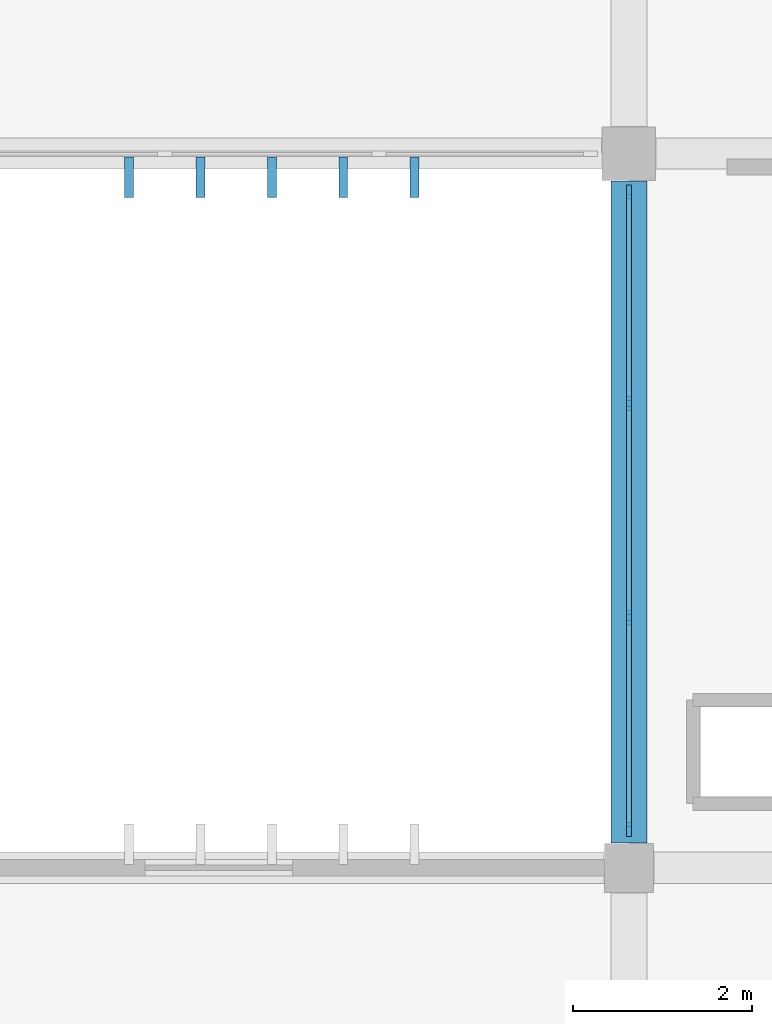
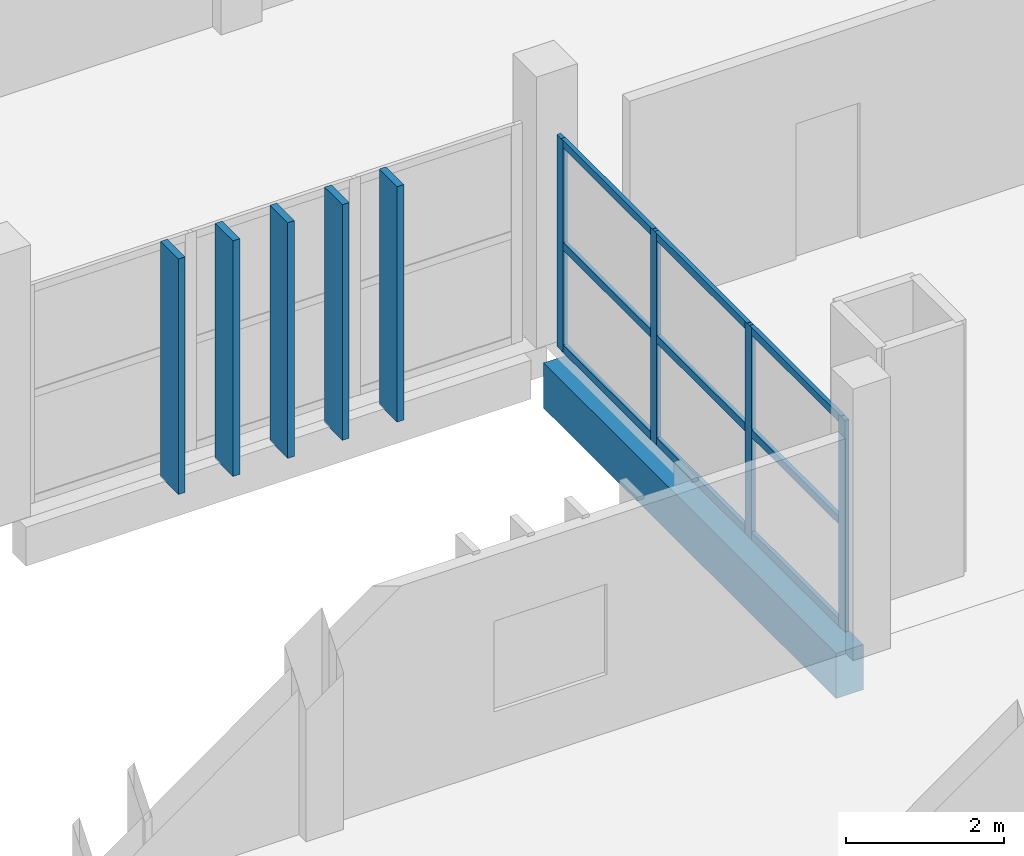
# One storey, part 15 of 83: 18 members, 1 beam, 1 element without a shape of its own.
"""IFC4 building model written with IfcOpenShell, lengths in metres."""

from ifc_helpers import new_model, si_unit, direction, frame, origin, origin_2d, place, context, subcontext, project, spatial, rectangle, extrude, material, layer, layer_set, material_profile, profile_set, type_object, element, aggregate, save


model = new_model("IFC4")

# Units and contexts
model_context = context("Model", 3, precision=1e-05, world=origin(), true_north=direction((0.0, 1.0)))
body_context = subcontext(model_context, "Body", "Model", "MODEL_VIEW")
ifc_project = project(units=[si_unit("LENGTHUNIT", "METRE"), si_unit("AREAUNIT", "SQUARE_METRE"), si_unit("VOLUMEUNIT", "CUBIC_METRE"), si_unit("PLANEANGLEUNIT", "RADIAN"), si_unit("MASSUNIT", "GRAM", prefix="KILO")], contexts=[model_context])

# Site, building, storey
site_placement = place(None, origin())
site = spatial("IfcSite", under=ifc_project, at=site_placement, CompositionType="ELEMENT")
building_placement = place(site_placement, origin())
building = spatial("IfcBuilding", under=site, at=building_placement, Name="Jelvoka-Kovrelna Polytechnic", CompositionType="ELEMENT")
storey_placement = place(building_placement, frame((0.0, 0.0, 13.800048828125)))
storey = spatial("IfcBuildingStorey", under=building, at=storey_placement, Name="L04", CompositionType="ELEMENT", Elevation=13.800048828125)

# Beam
ifc_material_1 = material(Name="Concrete C40/50", Category="concrete")
ifc_material_profile_1 = material_profile(ifc_material_1, rectangle(XDim=0.39990234375, YDim=0.699951171875, at=origin_2d()), Name="RC 400x700")
ifc_profile_set_1 = profile_set([ifc_material_profile_1], Name="Concrete C40/50")
beam_type = type_object("IfcBeamType", Name="Beam_RC_400x700", PredefinedType="BEAM", material=ifc_profile_set_1)
beam_placement = place(storey_placement, frame((72.0, 24.280029296875, -0.60009765625), z_axis=(0.0, 1.0, 0.0), x_axis=(-1.0, 0.0, 0.0)))
element("IfcBeam", 1, at=beam_placement, inside=storey, type_object=beam_type, Name="L04 beam 1359", PredefinedType="BEAM", context=body_context, shape_type="SweptSolid", body=[
    extrude(rectangle(XDim=0.39990234375, YDim=0.699951171875, at=origin_2d()), origin(), (0.0, 0.0, 1.0), 7.4150390625),
])

# Members
ifc_material_2 = material(Name="Precast concrete C40/50", Category="concrete")
ifc_material_profile_2 = material_profile(ifc_material_2, rectangle(XDim=0.10009765625, YDim=0.449951171875, at=origin_2d()), Name="PC 100x450")
ifc_profile_set_2 = profile_set([ifc_material_profile_2], Name="Precast concrete C40/50")
member_type_1 = type_object("IfcMemberType", Name="Louvre_Fin_100x450", PredefinedType="USERDEFINED", material=ifc_profile_set_2)
for number, where, z_axis, x_axis, name in (
    (2, (66.39990234375, 31.735107421875, -0.27001953125), (0.0, 0.0, 1.0), (1.0, 0.0, 0.0), "L04 B2W south vertical solar louvre fin 0711"),
    (3, (67.199951171875, 31.735107421875, -0.27001953125), (0.0, 0.0, 1.0), (1.0, 0.0, 0.0), "L04 B2W south vertical solar louvre fin 0712"),
    (4, (68.0, 31.735107421875, -0.27001953125), (0.0, 0.0, 1.0), (1.0, 0.0, 0.0), "L04 B2W south vertical solar louvre fin 0713"),
    (5, (68.800048828125, 31.735107421875, -0.27001953125), (0.0, 0.0, 1.0), (1.0, 0.0, 0.0), "L04 B2W south vertical solar louvre fin 0714"),
    (6, (69.60009765625, 31.735107421875, -0.27001953125), (0.0, 0.0, 1.0), (1.0, 0.0, 0.0), "L04 B2W south vertical solar louvre fin 0715"),
):
    element("IfcMember", number, at=place(storey_placement, frame(where, z_axis=z_axis, x_axis=x_axis)), inside=storey, type_object=member_type_1, Name=name, ObjectType="SUNSHADE", PredefinedType="USERDEFINED", context=body_context, shape_type="SweptSolid", body=[
        extrude(rectangle(XDim=0.10009765625, YDim=0.449951171875, at=origin_2d()), origin(), (0.0, 0.0, 1.0), 3.64501953125),
    ])

# Curtain wall, members
ifc_material_3 = material(Name="Anodised aluminium 6063-T6", Category="aluminium")
ifc_layer = layer(ifc_material_3, 0.159912109375)
ifc_layer_set = layer_set([ifc_layer], Name="Anodised aluminium 6063-T6")
curtain_wall_type = type_object("IfcCurtainWallType", Name="CW_LinkBridge", PredefinedType="NOTDEFINED", material=ifc_layer_set)
curtain_wall_placement = place(storey_placement, origin())
curtain_wall = element("IfcCurtainWall", 7, at=curtain_wall_placement, inside=storey, type_object=curtain_wall_type, Name="L04 glazed curtain wall 136", PredefinedType="NOTDEFINED")
ifc_material_4 = material(Name="Anodised aluminium 6063-T6", Category="aluminium")
ifc_material_profile_3 = material_profile(ifc_material_4, rectangle(XDim=0.06005859375, YDim=0.159912109375, at=origin_2d()), Name="ALU 60x160")
ifc_profile_set_3 = profile_set([ifc_material_profile_3], Name="Anodised aluminium 6063-T6")
member_type_2 = type_object("IfcMemberType", Name="Mullion_M-04", PredefinedType="MULLION", material=ifc_profile_set_3)
member_1_placement = place(storey_placement, frame((72.0, 24.429931640625, -0.02490234375), z_axis=(0.0, 0.0, 1.0), x_axis=(-1.0, 0.0, 0.0)))
member_1 = element("IfcMember", 8, at=member_1_placement, type_object=member_type_2, Name="CW-04 mullion 1", PredefinedType="MULLION", context=body_context, shape_type="SweptSolid", body=[
    extrude(rectangle(XDim=0.06005859375, YDim=0.159912109375, at=origin_2d()), origin(), (0.0, 0.0, 1.0), 3.27490234375),
])
member_2_placement = place(storey_placement, frame((72.0, 26.800048828125, -0.02490234375), z_axis=(0.0, 0.0, 1.0), x_axis=(-1.0, 0.0, 0.0)))
member_2 = element("IfcMember", 9, at=member_2_placement, type_object=member_type_2, Name="CW-04 mullion 2", PredefinedType="MULLION", context=body_context, shape_type="SweptSolid", body=[
    extrude(rectangle(XDim=0.06005859375, YDim=0.159912109375, at=origin_2d()), origin(), (0.0, 0.0, 1.0), 3.27490234375),
])
member_3_placement = place(storey_placement, frame((72.0, 29.199951171875, -0.02490234375), z_axis=(0.0, 0.0, 1.0), x_axis=(-1.0, 0.0, 0.0)))
member_3 = element("IfcMember", 10, at=member_3_placement, type_object=member_type_2, Name="CW-04 mullion 3", PredefinedType="MULLION", context=body_context, shape_type="SweptSolid", body=[
    extrude(rectangle(XDim=0.06005859375, YDim=0.159912109375, at=origin_2d()), origin(), (0.0, 0.0, 1.0), 3.27490234375),
])
member_4_placement = place(storey_placement, frame((72.0, 31.570068359375, -0.02490234375), z_axis=(0.0, 0.0, 1.0), x_axis=(-1.0, 0.0, 0.0)))
member_4 = element("IfcMember", 11, at=member_4_placement, type_object=member_type_2, Name="CW-04 mullion 4", PredefinedType="MULLION", context=body_context, shape_type="SweptSolid", body=[
    extrude(rectangle(XDim=0.06005859375, YDim=0.159912109375, at=origin_2d()), origin(), (0.0, 0.0, 1.0), 3.27490234375),
])
ifc_material_5 = material(Name="Anodised aluminium 6063-T6", Category="aluminium")
ifc_material_profile_4 = material_profile(ifc_material_5, rectangle(XDim=0.06005859375, YDim=0.1201171875, at=origin_2d()), Name="ALU 60x120")
ifc_profile_set_4 = profile_set([ifc_material_profile_4], Name="Anodised aluminium 6063-T6")
member_type_3 = type_object("IfcMemberType", Name="Transom_T-04", PredefinedType="USERDEFINED", material=ifc_profile_set_4)
member_5_placement = place(storey_placement, frame((72.0, 24.4599609375, 0.030029296875), z_axis=(0.0, 1.0, 0.0), x_axis=(-1.0, 0.0, 0.0)))
member_5 = element("IfcMember", 12, at=member_5_placement, type_object=member_type_3, Name="CW-04 transom 1.1", ObjectType="TRANSOM", PredefinedType="USERDEFINED", context=body_context, shape_type="SweptSolid", body=[
    extrude(rectangle(XDim=0.06005859375, YDim=0.1201171875, at=origin_2d()), origin(), (0.0, 0.0, 1.0), 2.31005859375),
])
member_6_placement = place(storey_placement, frame((72.0, 24.4599609375, 1.612548828125), z_axis=(0.0, 1.0, 0.0), x_axis=(-1.0, 0.0, 0.0)))
member_6 = element("IfcMember", 13, at=member_6_placement, type_object=member_type_3, Name="CW-04 transom 1.2", ObjectType="TRANSOM", PredefinedType="USERDEFINED", context=body_context, shape_type="SweptSolid", body=[
    extrude(rectangle(XDim=0.06005859375, YDim=0.1201171875, at=origin_2d()), origin(), (0.0, 0.0, 1.0), 2.31005859375),
])
member_7_placement = place(storey_placement, frame((72.0, 24.4599609375, 3.195068359375), z_axis=(0.0, 1.0, 0.0), x_axis=(-1.0, 0.0, 0.0)))
member_7 = element("IfcMember", 14, at=member_7_placement, type_object=member_type_3, Name="CW-04 transom 1.3", ObjectType="TRANSOM", PredefinedType="USERDEFINED", context=body_context, shape_type="SweptSolid", body=[
    extrude(rectangle(XDim=0.06005859375, YDim=0.1201171875, at=origin_2d()), origin(), (0.0, 0.0, 1.0), 2.31005859375),
])
member_8_placement = place(storey_placement, frame((72.0, 26.830078125, 0.030029296875), z_axis=(0.0, 1.0, 0.0), x_axis=(-1.0, 0.0, 0.0)))
member_8 = element("IfcMember", 15, at=member_8_placement, type_object=member_type_3, Name="CW-04 transom 2.1", ObjectType="TRANSOM", PredefinedType="USERDEFINED", context=body_context, shape_type="SweptSolid", body=[
    extrude(rectangle(XDim=0.06005859375, YDim=0.1201171875, at=origin_2d()), origin(), (0.0, 0.0, 1.0), 2.33984375),
])
member_9_placement = place(storey_placement, frame((72.0, 26.830078125, 1.612548828125), z_axis=(0.0, 1.0, 0.0), x_axis=(-1.0, 0.0, 0.0)))
member_9 = element("IfcMember", 16, at=member_9_placement, type_object=member_type_3, Name="CW-04 transom 2.2", ObjectType="TRANSOM", PredefinedType="USERDEFINED", context=body_context, shape_type="SweptSolid", body=[
    extrude(rectangle(XDim=0.06005859375, YDim=0.1201171875, at=origin_2d()), origin(), (0.0, 0.0, 1.0), 2.33984375),
])
member_10_placement = place(storey_placement, frame((72.0, 26.830078125, 3.195068359375), z_axis=(0.0, 1.0, 0.0), x_axis=(-1.0, 0.0, 0.0)))
member_10 = element("IfcMember", 17, at=member_10_placement, type_object=member_type_3, Name="CW-04 transom 2.3", ObjectType="TRANSOM", PredefinedType="USERDEFINED", context=body_context, shape_type="SweptSolid", body=[
    extrude(rectangle(XDim=0.06005859375, YDim=0.1201171875, at=origin_2d()), origin(), (0.0, 0.0, 1.0), 2.33984375),
])
member_11_placement = place(storey_placement, frame((72.0, 29.22998046875, 0.030029296875), z_axis=(0.0, 1.0, 0.0), x_axis=(-1.0, 0.0, 0.0)))
member_11 = element("IfcMember", 18, at=member_11_placement, type_object=member_type_3, Name="CW-04 transom 3.1", ObjectType="TRANSOM", PredefinedType="USERDEFINED", context=body_context, shape_type="SweptSolid", body=[
    extrude(rectangle(XDim=0.06005859375, YDim=0.1201171875, at=origin_2d()), origin(), (0.0, 0.0, 1.0), 2.31005859375),
])
member_12_placement = place(storey_placement, frame((72.0, 29.22998046875, 1.612548828125), z_axis=(0.0, 1.0, 0.0), x_axis=(-1.0, 0.0, 0.0)))
member_12 = element("IfcMember", 19, at=member_12_placement, type_object=member_type_3, Name="CW-04 transom 3.2", ObjectType="TRANSOM", PredefinedType="USERDEFINED", context=body_context, shape_type="SweptSolid", body=[
    extrude(rectangle(XDim=0.06005859375, YDim=0.1201171875, at=origin_2d()), origin(), (0.0, 0.0, 1.0), 2.31005859375),
])
member_13_placement = place(storey_placement, frame((72.0, 29.22998046875, 3.195068359375), z_axis=(0.0, 1.0, 0.0), x_axis=(-1.0, 0.0, 0.0)))
member_13 = element("IfcMember", 20, at=member_13_placement, type_object=member_type_3, Name="CW-04 transom 3.3", ObjectType="TRANSOM", PredefinedType="USERDEFINED", context=body_context, shape_type="SweptSolid", body=[
    extrude(rectangle(XDim=0.06005859375, YDim=0.1201171875, at=origin_2d()), origin(), (0.0, 0.0, 1.0), 2.31005859375),
])
aggregate(curtain_wall, [member_1, member_2, member_3, member_4, member_5, member_6, member_7, member_8, member_9, member_10, member_11, member_12, member_13])

save(model, "model.ifc")
